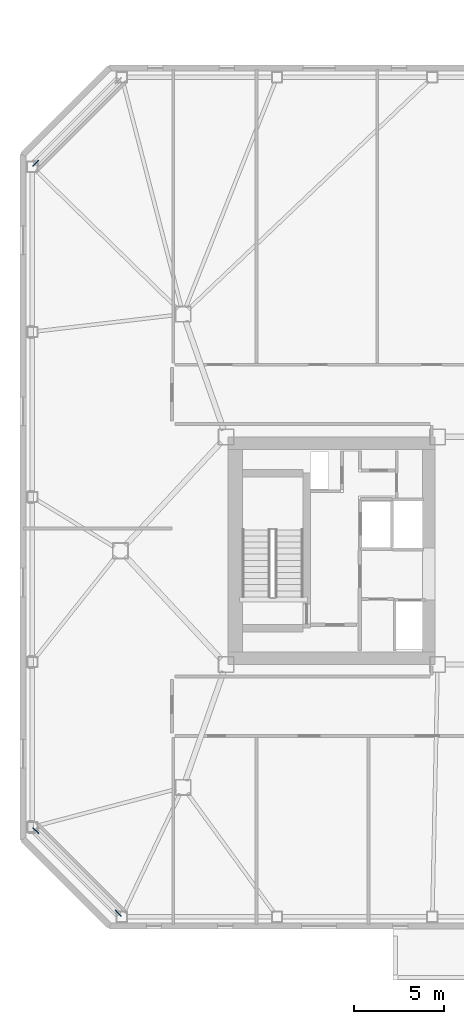
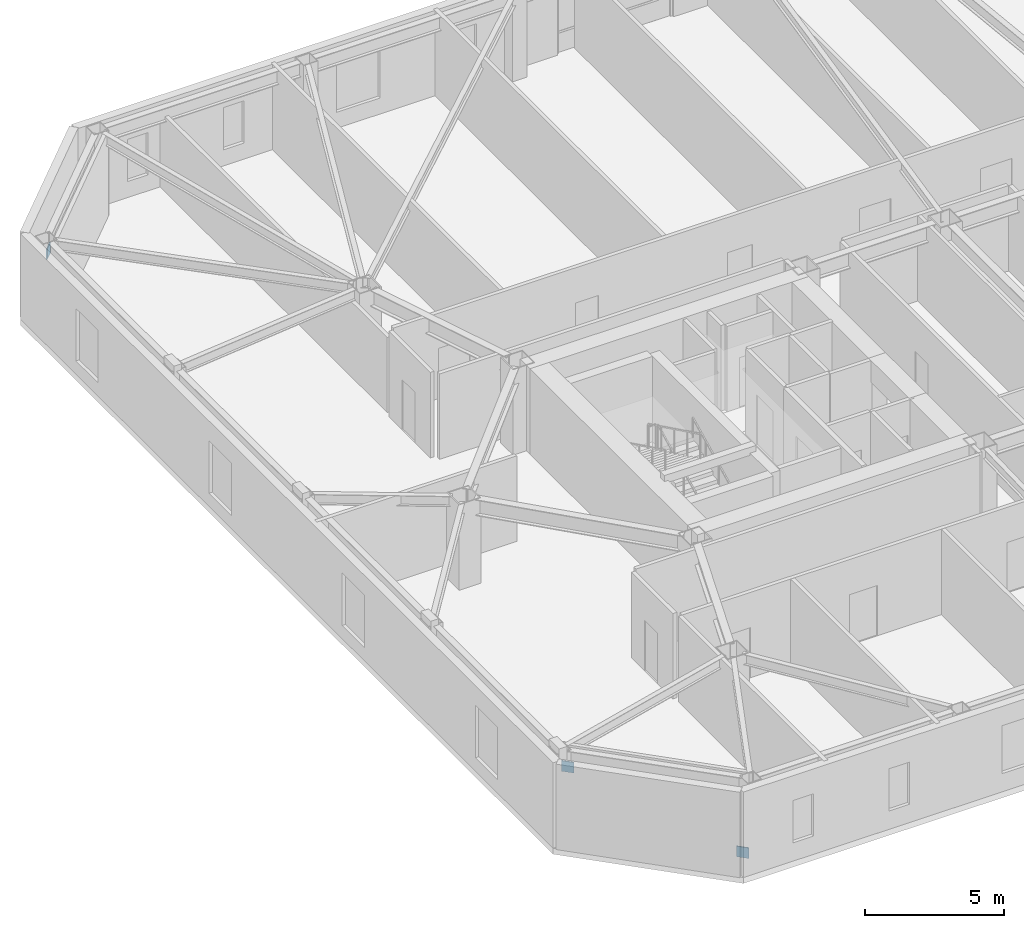
# One storey, part 15 of 18: 3 discrete accessories.
"""IFC4 building model written with IfcOpenShell, lengths in metres."""

from ifc_helpers import new_model, si_unit, direction, frame, origin, origin_2d, place, context, subcontext, project, spatial, rectangle, extrude, material, type_object, element, save


model = new_model("IFC4")

# Units and contexts
model_context = context("Model", 3, precision=1e-05, world=origin(), true_north=direction((0.0, 1.0)))
body_context = subcontext(model_context, "Body", "Model", "MODEL_VIEW")
ifc_project = project(units=[si_unit("LENGTHUNIT", "METRE"), si_unit("AREAUNIT", "SQUARE_METRE"), si_unit("VOLUMEUNIT", "CUBIC_METRE"), si_unit("PLANEANGLEUNIT", "RADIAN"), si_unit("MASSUNIT", "GRAM", prefix="KILO")], contexts=[model_context])

# Site, building, storey
site_placement = place(None, origin())
site = spatial("IfcSite", under=ifc_project, at=site_placement, CompositionType="ELEMENT")
building_placement = place(site_placement, origin())
building = spatial("IfcBuilding", under=site, at=building_placement, Name="Tavrogorsk Clinical Tower", CompositionType="ELEMENT")
storey_placement = place(building_placement, frame((0.0, 0.0, 168.199951171875)))
storey = spatial("IfcBuildingStorey", under=building, at=storey_placement, Name="L38", CompositionType="ELEMENT", Elevation=168.199951171875)

# Discrete accessories
ifc_material = material(Name="Structural steel S440", Category="steel")
discrete_accessory_type = type_object("IfcDiscreteAccessoryType", Name="GussetPlateBracket_25", PredefinedType="BRACKET", material=ifc_material)
for number, where, z_axis, x_axis, name in (
    (1, (-32.717529296875, 21.62255859375, 2.7470703125), (0.0, 0.0, 1.0), (-0.707106781187, -0.707106781187, 0.0), "L38 Brace Gusset Plate EXOCRN-L38-3-B"),
    (2, (-28.12255859375, -20.217529296875, 0.18310546875), (0.0, 0.0, 1.0), (-0.707106781187, 0.707106781187, 0.0), "L38 Brace Gusset Plate EXOCRN-L38-4-A"),
    (3, (-32.717529296875, -15.62255859375, 2.7470703125), (0.0, 0.0, 1.0), (-0.707106781187, 0.707106781187, 0.0), "L38 Brace Gusset Plate EXOCRN-L38-4-B"),
):
    element("IfcDiscreteAccessory", number, at=place(storey_placement, frame(where, z_axis=z_axis, x_axis=x_axis)), inside=storey, type_object=discrete_accessory_type, Name=name, PredefinedType="BRACKET", context=body_context, shape_type="SweptSolid", body=[
        extrude(rectangle(XDim=0.4599609375, YDim=0.0400390625, at=origin_2d()), origin(), (0.0, 0.0, 1.0), 0.4599609375),
    ])

save(model, "model.ifc")
